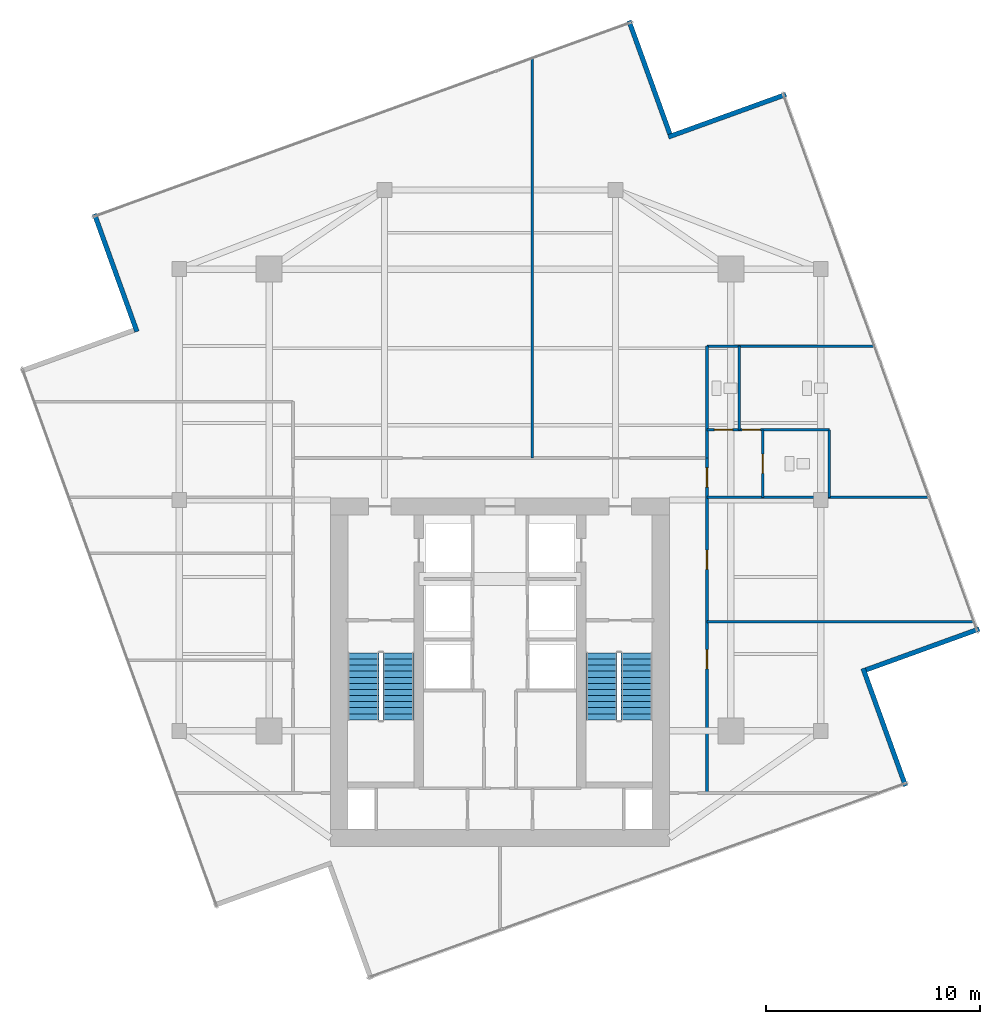
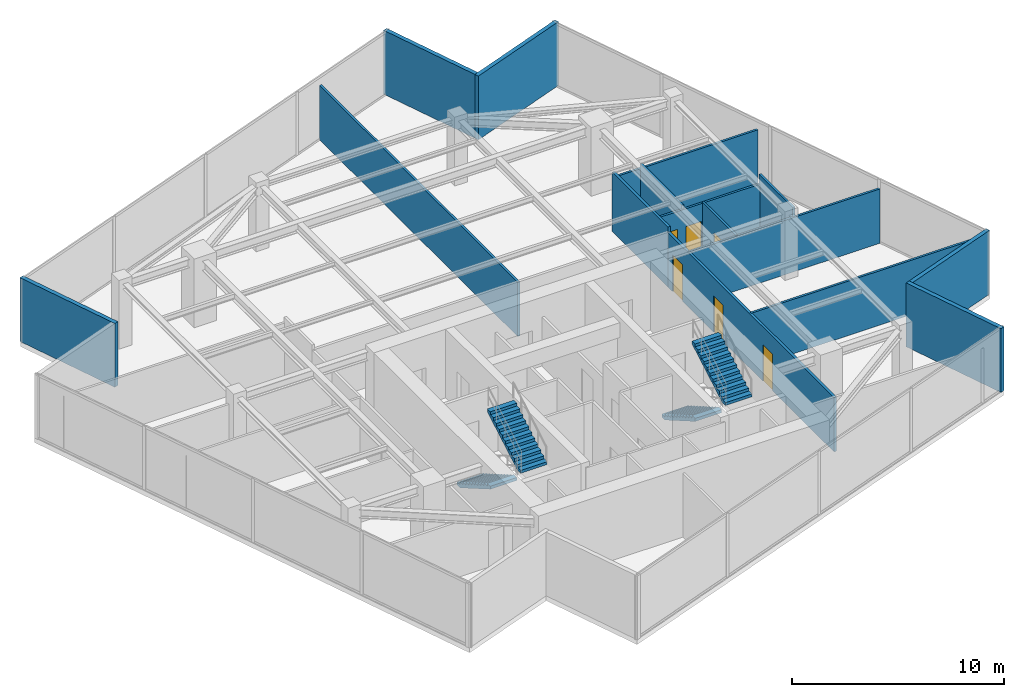
# One storey, part 19 of 21: 15 walls, 6 doors, 4 stair flights, 6 openings, 2 elements without a shape of their own.
"""IFC4 building model written with IfcOpenShell, lengths in metres."""

from ifc_helpers import new_model, si_unit, direction, frame, frame_2d, origin, place, context, subcontext, project, spatial, polyline, rectangle, outline, extrude, material, layer, layer_set, type_object, element, fill, aggregate, save


model = new_model("IFC4")

# Units and contexts
model_context = context("Model", 3, precision=1e-05, world=origin(), true_north=direction((0.0, 1.0)))
body_context = subcontext(model_context, "Body", "Model", "MODEL_VIEW")
ifc_project = project(units=[si_unit("LENGTHUNIT", "METRE"), si_unit("AREAUNIT", "SQUARE_METRE"), si_unit("VOLUMEUNIT", "CUBIC_METRE"), si_unit("PLANEANGLEUNIT", "RADIAN"), si_unit("MASSUNIT", "GRAM", prefix="KILO")], contexts=[model_context])

# Site, building, storey
site_placement = place(None, origin())
site = spatial("IfcSite", under=ifc_project, at=site_placement, CompositionType="ELEMENT")
building_placement = place(site_placement, origin())
building = spatial("IfcBuilding", under=site, at=building_placement, Name="Krantzveldt Concourse Tower", CompositionType="ELEMENT")
storey_placement = place(building_placement, frame((0.0, 0.0, 331.64990234375)))
storey = spatial("IfcBuildingStorey", under=building, at=storey_placement, Name="L81", CompositionType="ELEMENT", Elevation=331.64990234375)

# Walls
ifc_material_1 = material(Name="Anodised aluminium 6063-T6", Category="aluminium")
ifc_layer_1 = layer(ifc_material_1, 0.219970703125, Name="Anodised aluminium 6063-T6", Category="aluminium")
ifc_layer_set_1 = layer_set([ifc_layer_1], Name="Anodised aluminium 6063-T6 (WL-EXT-NOTCH220)")
wall_type_1 = type_object("IfcWallType", Name="WL-EXT-NOTCH220", PredefinedType="ELEMENTEDWALL", material=ifc_layer_set_1)
wall_1_placement = place(storey_placement, frame((43.94287109375, 43.820068359375, 0.0), z_axis=(0.0, 0.0, 1.0), x_axis=(-0.339968670636, 0.940436761822, 0.0)))
element("IfcWall", 1, at=wall_1_placement, inside=storey, type_object=wall_type_1, Name="EW-L81-NCH00", PredefinedType="ELEMENTEDWALL", context=body_context, shape_type="SweptSolid", body=[
    extrude(rectangle(XDim=5.625, YDim=0.219970703125, at=frame_2d((2.8125, 0.0))), origin(), (0.0, 0.0, 1.0), 3.670166015625),
])
wall_2_placement = place(storey_placement, frame((17.03369140625, 40.07373046875, 0.0), z_axis=(0.0, 0.0, 1.0), x_axis=(0.339948253463, -0.940444142396, 0.0)))
element("IfcWall", 2, at=wall_2_placement, inside=storey, type_object=wall_type_1, Name="EW-L81-NCH02", PredefinedType="ELEMENTEDWALL", context=body_context, shape_type="SweptSolid", body=[
    extrude(rectangle(XDim=5.84521484375, YDim=0.219970703125, at=frame_2d((2.922607421875, 0.0))), origin(), (0.0, 0.0, 1.0), 3.670166015625),
])
wall_3_placement = place(storey_placement, frame((54.96630859375, 13.326416015625, 0.0), z_axis=(0.0, 0.0, 1.0), x_axis=(-0.339961607222, 0.940439315222, 0.0)))
element("IfcWall", 3, at=wall_3_placement, inside=storey, type_object=wall_type_1, Name="EW-L81-NCH08", PredefinedType="ELEMENTEDWALL", context=body_context, shape_type="SweptSolid", body=[
    extrude(rectangle(XDim=5.844970703125, YDim=0.219970703125, at=frame_2d((2.92236328125, 0.0))), origin(), (0.0, 0.0, 1.0), 3.670166015625),
])
wall_4_placement = place(storey_placement, frame((53.1201171875, 18.757080078125, 0.0), z_axis=(0.0, 0.0, 1.0), x_axis=(0.940431745156, 0.339982547644, 0.0)))
element("IfcWall", 4, at=wall_4_placement, inside=storey, type_object=wall_type_1, Name="EW-L81-NCH09", PredefinedType="ELEMENTEDWALL", context=body_context, shape_type="SweptSolid", body=[
    extrude(rectangle(XDim=5.624755859375, YDim=0.219970703125, at=frame_2d((2.8125, 0.0))), origin(), (0.0, 0.0, 1.0), 3.670166015625),
])
wall_5_placement = place(storey_placement, frame((49.37353515625, 45.666259765625, 0.0), z_axis=(0.0, 0.0, 1.0), x_axis=(-0.940439315222, -0.339961607222, 0.0)))
element("IfcWall", 5, at=wall_5_placement, inside=storey, type_object=wall_type_1, Name="EW-L81-NCH11", PredefinedType="ELEMENTEDWALL", context=body_context, shape_type="SweptSolid", body=[
    extrude(rectangle(XDim=5.844970703125, YDim=0.219970703125, at=frame_2d((2.92236328125, 0.0))), origin(), (0.0, 0.0, 1.0), 3.670166015625),
])
ifc_material_2 = material(Name="Fire-rated gypsum plasterboard on steel stud", Category="steel")
ifc_layer_2 = layer(ifc_material_2, 0.1201171875, Name="Fire-rated gypsum plasterboard on steel stud", Category="steel")
ifc_layer_set_2 = layer_set([ifc_layer_2], Name="Fire-rated gypsum plasterboard on steel stud (WL-PART-120)")
wall_type_2 = type_object("IfcWallType", Name="WL-PART-120", PredefinedType="PARTITIONING", material=ifc_layer_set_2)
wall_6_placement = place(storey_placement, frame((45.679931640625, 26.820068359375, 0.0), z_axis=(0.0, 0.0, 1.0), x_axis=(1.0, 0.0, 0.0)))
element("IfcWall", 6, at=wall_6_placement, inside=storey, type_object=wall_type_2, Name="WP-L81-WCBS", PredefinedType="PARTITIONING", context=body_context, shape_type="SweptSolid", body=[
    extrude(rectangle(XDim=10.38427734375, YDim=0.1201171875, at=frame_2d((5.192138671875, 0.0))), origin(), (0.0, 0.0, 1.0), 3.130126953125),
])
wall_7_placement = place(storey_placement, frame((45.679931640625, 33.89990234375, 0.0), z_axis=(0.0, 0.0, 1.0), x_axis=(1.0, 0.0, 0.0)))
element("IfcWall", 7, at=wall_7_placement, inside=storey, type_object=wall_type_2, Name="WP-L81-WCBN", PredefinedType="PARTITIONING", context=body_context, shape_type="SweptSolid", body=[
    extrude(rectangle(XDim=7.824951171875, YDim=0.1201171875, at=frame_2d((3.91259765625, 0.0))), origin(), (0.0, 0.0, 1.0), 3.130126953125),
])

# Wall, openings, doors
wall_8_placement = place(storey_placement, frame((45.679931640625, 29.97998046875, 0.0), z_axis=(0.0, 0.0, 1.0), x_axis=(1.0, 0.0, 0.0)))
wall_8 = element("IfcWall", 8, at=wall_8_placement, inside=storey, type_object=wall_type_2, Name="WP-L81-WCMH", PredefinedType="PARTITIONING", context=body_context, shape_type="SweptSolid", body=[
    extrude(rectangle(XDim=5.719970703125, YDim=0.1201171875, at=frame_2d((2.85986328125, 0.0))), origin(), (0.0, 0.0, 1.0), 3.130126953125),
])
opening_1_placement = place(wall_8_placement, frame((1.64501953125, 0.0, 0.0)))
opening_1 = element("IfcOpeningElement", 9, at=opening_1_placement, cuts=wall_8, Name="Opening D-IN085", PredefinedType="OPENING", context=body_context, shape_type="SweptSolid", body=[
    extrude(rectangle(XDim=0.85009765625, YDim=2.10009765625, at=frame_2d((0.425048828125, 1.050048828125))), frame((0.0, 0.070068359375, 0.0), z_axis=(0.0, -1.0, 0.0), x_axis=(1.0, 0.0, 0.0)), (0.0, 0.0, 1.0), 0.14013671875),
])
opening_2_placement = place(wall_8_placement, frame((0.344970703125, 0.0, 0.0)))
opening_2 = element("IfcOpeningElement", 10, at=opening_2_placement, cuts=wall_8, Name="Opening D-IN085", PredefinedType="OPENING", context=body_context, shape_type="SweptSolid", body=[
    extrude(rectangle(XDim=0.85009765625, YDim=2.10009765625, at=frame_2d((0.425048828125, 1.050048828125))), frame((0.0, 0.070068359375, 0.0), z_axis=(0.0, -1.0, 0.0), x_axis=(1.0, 0.0, 0.0)), (0.0, 0.0, 1.0), 0.14013671875),
])
ifc_material_3 = material(Name="Hardwood timber", Category="wood")
door_type_1 = type_object("IfcDoorType", Name="DR-INT-850", OperationType="SINGLE_SWING_LEFT", PredefinedType="DOOR", material=ifc_material_3)
door_1_placement = place(opening_1_placement, origin())
door_1 = element("IfcDoor", 11, at=door_1_placement, inside=storey, type_object=door_type_1, Name="DR-L81-WCM", OperationType="SINGLE_SWING_RIGHT", OverallHeight=2.10009765625, OverallWidth=0.85009765625, PredefinedType="DOOR", context=body_context, shape_type="SweptSolid", body=[
    extrude(rectangle(XDim=0.85009765625, YDim=2.10009765625, at=frame_2d((0.425048828125, 1.050048828125))), frame((0.0, 0.02490234375, 0.0), z_axis=(0.0, -1.0, 0.0), x_axis=(1.0, 0.0, 0.0)), (0.0, 0.0, 1.0), 0.050048828125),
])
fill(opening_1, door_1)
door_2_placement = place(opening_2_placement, origin())
door_2 = element("IfcDoor", 12, at=door_2_placement, inside=storey, type_object=door_type_1, Name="DR-L81-WCF", OperationType="SINGLE_SWING_LEFT", OverallHeight=2.10009765625, OverallWidth=0.85009765625, PredefinedType="DOOR", context=body_context, shape_type="SweptSolid", body=[
    extrude(rectangle(XDim=0.85009765625, YDim=2.10009765625, at=frame_2d((0.425048828125, 1.050048828125))), frame((0.0, 0.02490234375, 0.0), z_axis=(0.0, -1.0, 0.0), x_axis=(1.0, 0.0, 0.0)), (0.0, 0.0, 1.0), 0.050048828125),
])
fill(opening_2, door_2)

# Wall
wall_9_placement = place(storey_placement, frame((51.39990234375, 26.820068359375, 0.0), z_axis=(0.0, 0.0, 1.0), x_axis=(0.0, 1.0, 0.0)))
element("IfcWall", 13, at=wall_9_placement, inside=storey, type_object=wall_type_2, Name="WP-L81-WCAR", PredefinedType="PARTITIONING", context=body_context, shape_type="SweptSolid", body=[
    extrude(rectangle(XDim=3.159912109375, YDim=0.1201171875, at=frame_2d((1.580078125, 0.0))), origin(), (0.0, 0.0, 1.0), 3.670166015625),
])

# Wall, opening, door
wall_10_placement = place(storey_placement, frame((48.280029296875, 26.820068359375, 0.0), z_axis=(0.0, 0.0, 1.0), x_axis=(0.0, 1.0, 0.0)))
wall_10 = element("IfcWall", 14, at=wall_10_placement, inside=storey, type_object=wall_type_2, Name="WP-L81-WCAV", PredefinedType="PARTITIONING", context=body_context, shape_type="SweptSolid", body=[
    extrude(rectangle(XDim=3.159912109375, YDim=0.1201171875, at=frame_2d((1.580078125, 0.0))), origin(), (0.0, 0.0, 1.0), 3.18017578125),
])
opening_3_placement = place(wall_10_placement, frame((1.1298828125, 0.0, 0.0)))
opening_3 = element("IfcOpeningElement", 15, at=opening_3_placement, cuts=wall_10, Name="Opening D-IN090", PredefinedType="OPENING", context=body_context, shape_type="SweptSolid", body=[
    extrude(rectangle(XDim=0.89990234375, YDim=2.10009765625, at=frame_2d((0.449951171875, 1.050048828125))), frame((0.0, 0.070068359375, 0.0), z_axis=(0.0, -1.0, 0.0), x_axis=(1.0, 0.0, 0.0)), (0.0, 0.0, 1.0), 0.14013671875),
])
door_type_2 = type_object("IfcDoorType", Name="DR-INT-900", OperationType="SINGLE_SWING_LEFT", PredefinedType="DOOR", material=ifc_material_3)
door_3_placement = place(opening_3_placement, origin())
door_3 = element("IfcDoor", 16, at=door_3_placement, inside=storey, type_object=door_type_2, Name="DR-L81-WCA", OperationType="SINGLE_SWING_RIGHT", OverallHeight=2.10009765625, OverallWidth=0.89990234375, PredefinedType="DOOR", context=body_context, shape_type="SweptSolid", body=[
    extrude(rectangle(XDim=0.89990234375, YDim=2.10009765625, at=frame_2d((0.449951171875, 1.050048828125))), frame((0.0, 0.02490234375, 0.0), z_axis=(0.0, -1.0, 0.0), x_axis=(1.0, 0.0, 0.0)), (0.0, 0.0, 1.0), 0.050048828125),
])
fill(opening_3, door_3)

# Walls
wall_11_placement = place(storey_placement, frame((47.179931640625, 29.97998046875, 0.0), z_axis=(0.0, 0.0, 1.0), x_axis=(0.0, 1.0, 0.0)))
element("IfcWall", 17, at=wall_11_placement, inside=storey, type_object=wall_type_2, Name="WP-L81-WCFD", PredefinedType="PARTITIONING", context=body_context, shape_type="SweptSolid", body=[
    extrude(rectangle(XDim=3.919921875, YDim=0.1201171875, at=frame_2d((1.9599609375, 0.0))), origin(), (0.0, 0.0, 1.0), 3.3701171875),
])
wall_12_placement = place(storey_placement, frame((37.5, 28.659912109375, 0.0), z_axis=(0.0, 0.0, 1.0), x_axis=(0.0, 1.0, 0.0)))
element("IfcWall", 18, at=wall_12_placement, inside=storey, type_object=wall_type_2, Name="WP-L81-ND1", PredefinedType="PARTITIONING", context=body_context, shape_type="SweptSolid", body=[
    extrude(rectangle(XDim=18.68994140625, YDim=0.1201171875, at=frame_2d((9.344970703125, 0.0))), origin(), (0.0, 0.0, 1.0), 3.130126953125),
])
wall_13_placement = place(storey_placement, frame((45.679931640625, 21.0, 0.0), z_axis=(0.0, 0.0, 1.0), x_axis=(1.0, 0.0, 0.0)))
element("IfcWall", 19, at=wall_13_placement, inside=storey, type_object=wall_type_2, Name="WP-L81-ED1", PredefinedType="PARTITIONING", context=body_context, shape_type="SweptSolid", body=[
    extrude(rectangle(XDim=12.48828125, YDim=0.1201171875, at=frame_2d((6.244140625, 0.0))), origin(), (0.0, 0.0, 1.0), 3.130126953125),
])

# Wall, openings, doors
ifc_layer_3 = layer(ifc_material_2, 0.139892578125, Name="Fire-rated gypsum plasterboard on steel stud", Category="steel")
ifc_layer_set_3 = layer_set([ifc_layer_3], Name="Fire-rated gypsum plasterboard on steel stud (WL-PART-140)")
wall_type_3 = type_object("IfcWallType", Name="WL-PART-140", PredefinedType="PARTITIONING", material=ifc_layer_set_3)
wall_14_placement = place(storey_placement, frame((45.679931640625, 13.0, 0.0), z_axis=(0.0, 0.0, 1.0), x_axis=(0.0, 1.0, 0.0)))
wall_14 = element("IfcWall", 20, at=wall_14_placement, inside=storey, type_object=wall_type_3, Name="WP-L81-CEAST", PredefinedType="PARTITIONING", context=body_context, shape_type="SweptSolid", body=[
    extrude(rectangle(XDim=15.659912109375, YDim=0.139892578125, at=frame_2d((7.830078125, 0.0))), origin(), (0.0, 0.0, 1.0), 3.130126953125),
])
opening_4_placement = place(wall_14_placement, frame((14.300048828125, 0.0, 0.0)))
opening_4 = element("IfcOpeningElement", 21, at=opening_4_placement, cuts=wall_14, Name="Opening D-IN090", PredefinedType="OPENING", context=body_context, shape_type="SweptSolid", body=[
    extrude(rectangle(XDim=0.89990234375, YDim=2.10009765625, at=frame_2d((0.449951171875, 1.050048828125))), frame((0.0, 0.080078125, 0.0), z_axis=(0.0, -1.0, 0.0), x_axis=(1.0, 0.0, 0.0)), (0.0, 0.0, 1.0), 0.159912109375),
])
opening_5_placement = place(wall_14_placement, frame((5.800048828125, 0.0, 0.0)))
opening_5 = element("IfcOpeningElement", 22, at=opening_5_placement, cuts=wall_14, Name="Opening D-IN090", PredefinedType="OPENING", context=body_context, shape_type="SweptSolid", body=[
    extrude(rectangle(XDim=0.89990234375, YDim=2.10009765625, at=frame_2d((0.449951171875, 1.050048828125))), frame((0.0, 0.080078125, 0.0), z_axis=(0.0, -1.0, 0.0), x_axis=(1.0, 0.0, 0.0)), (0.0, 0.0, 1.0), 0.159912109375),
])
opening_6_placement = place(wall_14_placement, frame((10.4599609375, 0.0, 0.0)))
opening_6 = element("IfcOpeningElement", 23, at=opening_6_placement, cuts=wall_14, Name="Opening D-IN090", PredefinedType="OPENING", context=body_context, shape_type="SweptSolid", body=[
    extrude(rectangle(XDim=0.89990234375, YDim=2.10009765625, at=frame_2d((0.449951171875, 1.050048828125))), frame((0.0, 0.080078125, 0.0), z_axis=(0.0, -1.0, 0.0), x_axis=(1.0, 0.0, 0.0)), (0.0, 0.0, 1.0), 0.159912109375),
])
door_4_placement = place(opening_4_placement, origin())
door_4 = element("IfcDoor", 24, at=door_4_placement, inside=storey, type_object=door_type_2, Name="DR-L81-WCV", OperationType="SINGLE_SWING_RIGHT", OverallHeight=2.10009765625, OverallWidth=0.89990234375, PredefinedType="DOOR", context=body_context, shape_type="SweptSolid", body=[
    extrude(rectangle(XDim=0.89990234375, YDim=2.10009765625, at=frame_2d((0.449951171875, 1.050048828125))), frame((0.0, 0.02490234375, 0.0), z_axis=(0.0, -1.0, 0.0), x_axis=(1.0, 0.0, 0.0)), (0.0, 0.0, 1.0), 0.050048828125),
])
fill(opening_4, door_4)
door_5_placement = place(opening_5_placement, origin())
door_5 = element("IfcDoor", 25, at=door_5_placement, inside=storey, type_object=door_type_2, Name="DR-L81-ER1", OperationType="SINGLE_SWING_LEFT", OverallHeight=2.10009765625, OverallWidth=0.89990234375, PredefinedType="DOOR", context=body_context, shape_type="SweptSolid", body=[
    extrude(rectangle(XDim=0.89990234375, YDim=2.10009765625, at=frame_2d((0.449951171875, 1.050048828125))), frame((0.0, 0.02490234375, 0.0), z_axis=(0.0, -1.0, 0.0), x_axis=(1.0, 0.0, 0.0)), (0.0, 0.0, 1.0), 0.050048828125),
])
fill(opening_5, door_5)
door_6_placement = place(opening_6_placement, origin())
door_6 = element("IfcDoor", 26, at=door_6_placement, inside=storey, type_object=door_type_2, Name="DR-L81-ER2", OperationType="SINGLE_SWING_LEFT", OverallHeight=2.10009765625, OverallWidth=0.89990234375, PredefinedType="DOOR", context=body_context, shape_type="SweptSolid", body=[
    extrude(rectangle(XDim=0.89990234375, YDim=2.10009765625, at=frame_2d((0.449951171875, 1.050048828125))), frame((0.0, 0.02490234375, 0.0), z_axis=(0.0, -1.0, 0.0), x_axis=(1.0, 0.0, 0.0)), (0.0, 0.0, 1.0), 0.050048828125),
])
fill(opening_6, door_6)

# Wall
wall_15_placement = place(storey_placement, frame((45.679931640625, 28.659912109375, 0.0), z_axis=(0.0, 0.0, 1.0), x_axis=(0.0, 1.0, 0.0)))
element("IfcWall", 27, at=wall_15_placement, inside=storey, type_object=wall_type_3, Name="WP-L81-NER", PredefinedType="PARTITIONING", context=body_context, shape_type="SweptSolid", body=[
    extrude(rectangle(XDim=5.239990234375, YDim=0.139892578125, at=frame_2d((2.6201171875, 0.0))), origin(), (0.0, 0.0, 1.0), 3.43017578125),
])

# Stair, stair flights
ifc_material_4 = material(Name="Precast concrete C40/50", Category="concrete")
stair_type = type_object("IfcStairType", Name="STR-CORE-DOGLEG", PredefinedType="HALF_TURN_STAIR", material=ifc_material_4)
stair_1_placement = place(storey_placement, origin())
stair_1 = element("IfcStair", 28, at=stair_1_placement, inside=storey, type_object=stair_type, Name="L81 Protected Escape Stair ST-1", PredefinedType="HALF_TURN_STAIR")
stair_flight_type = type_object("IfcStairFlightType", Name="STF-CORE-1450", PredefinedType="STRAIGHT", material=ifc_material_4)
stair_flight_1_placement = place(storey_placement, frame((29.60498046875, 19.550048828125, 0.0), z_axis=(0.0, 0.0, 1.0), x_axis=(0.0, -1.0, 0.0)))
stair_flight_1 = element("IfcStairFlight", 29, at=stair_flight_1_placement, type_object=stair_flight_type, Name="ST-1 flight 1", NumberOfRisers=12, NumberOfTreads=11, PredefinedType="STRAIGHT", RiserHeight=0.164583333, TreadLength=0.285, context=body_context, shape_type="SweptSolid", body=[
    extrude(outline(polyline([(0.0, 0.0), (0.0, 0.16455078125), (0.284912109375, 0.16455078125), (0.284912109375, 0.3291015625), (0.570068359375, 0.3291015625), (0.570068359375, 0.49365234375), (0.85498046875, 0.49365234375), (0.85498046875, 0.658447265625), (1.139892578125, 0.658447265625), (1.139892578125, 0.822998046875), (1.425048828125, 0.822998046875), (1.425048828125, 0.987548828125), (1.7099609375, 0.987548828125), (1.7099609375, 1.152099609375), (1.9951171875, 1.152099609375), (1.9951171875, 1.316650390625), (2.280029296875, 1.316650390625), (2.280029296875, 1.481201171875), (2.56494140625, 1.481201171875), (2.56494140625, 1.645751953125), (2.85009765625, 1.645751953125), (2.85009765625, 1.810302734375), (3.135009765625, 1.810302734375), (3.135009765625, 1.97509765625), (3.135009765625, 1.63720703125), (0.2998046875, 0.0), (0.0, 0.0)])), frame((0.0, 0.72509765625, 0.0), z_axis=(0.0, -1.0, 0.0), x_axis=(1.0, 0.0, 0.0)), (0.0, 0.0, 1.0), 1.449951171875),
])
stair_flight_2_placement = place(storey_placement, frame((31.2548828125, 16.4150390625, 1.97509765625), z_axis=(0.0, 0.0, 1.0), x_axis=(0.0, 1.0, 0.0)))
stair_flight_2 = element("IfcStairFlight", 30, at=stair_flight_2_placement, type_object=stair_flight_type, Name="ST-1 flight 2", NumberOfRisers=12, NumberOfTreads=11, PredefinedType="STRAIGHT", RiserHeight=0.164583333, TreadLength=0.285, context=body_context, shape_type="SweptSolid", body=[
    extrude(outline(polyline([(0.0, 0.0), (0.0, 0.16455078125), (0.284912109375, 0.16455078125), (0.284912109375, 0.3291015625), (0.570068359375, 0.3291015625), (0.570068359375, 0.49365234375), (0.85498046875, 0.49365234375), (0.85498046875, 0.658447265625), (1.139892578125, 0.658447265625), (1.139892578125, 0.822998046875), (1.425048828125, 0.822998046875), (1.425048828125, 0.987548828125), (1.7099609375, 0.987548828125), (1.7099609375, 1.152099609375), (1.9951171875, 1.152099609375), (1.9951171875, 1.316650390625), (2.280029296875, 1.316650390625), (2.280029296875, 1.481201171875), (2.56494140625, 1.481201171875), (2.56494140625, 1.645751953125), (2.85009765625, 1.645751953125), (2.85009765625, 1.810302734375), (3.135009765625, 1.810302734375), (3.135009765625, 1.97509765625), (3.135009765625, 1.63720703125), (0.2998046875, 0.0), (0.0, 0.0)])), frame((0.0, 0.72509765625, 0.0), z_axis=(0.0, -1.0, 0.0), x_axis=(1.0, 0.0, 0.0)), (0.0, 0.0, 1.0), 1.449951171875),
])
aggregate(stair_1, [stair_flight_1, stair_flight_2])

stair_2_placement = place(storey_placement, origin())
stair_2 = element("IfcStair", 31, at=stair_2_placement, inside=storey, type_object=stair_type, Name="L81 Protected Escape Stair ST-2", PredefinedType="HALF_TURN_STAIR")
stair_flight_3_placement = place(storey_placement, frame((40.7451171875, 19.550048828125, 0.0), z_axis=(0.0, 0.0, 1.0), x_axis=(0.0, -1.0, 0.0)))
stair_flight_3 = element("IfcStairFlight", 32, at=stair_flight_3_placement, type_object=stair_flight_type, Name="ST-2 flight 1", NumberOfRisers=12, NumberOfTreads=11, PredefinedType="STRAIGHT", RiserHeight=0.164583333, TreadLength=0.285, context=body_context, shape_type="SweptSolid", body=[
    extrude(outline(polyline([(0.0, 0.0), (0.0, 0.16455078125), (0.284912109375, 0.16455078125), (0.284912109375, 0.3291015625), (0.570068359375, 0.3291015625), (0.570068359375, 0.49365234375), (0.85498046875, 0.49365234375), (0.85498046875, 0.658447265625), (1.139892578125, 0.658447265625), (1.139892578125, 0.822998046875), (1.425048828125, 0.822998046875), (1.425048828125, 0.987548828125), (1.7099609375, 0.987548828125), (1.7099609375, 1.152099609375), (1.9951171875, 1.152099609375), (1.9951171875, 1.316650390625), (2.280029296875, 1.316650390625), (2.280029296875, 1.481201171875), (2.56494140625, 1.481201171875), (2.56494140625, 1.645751953125), (2.85009765625, 1.645751953125), (2.85009765625, 1.810302734375), (3.135009765625, 1.810302734375), (3.135009765625, 1.97509765625), (3.135009765625, 1.63720703125), (0.2998046875, 0.0), (0.0, 0.0)])), frame((0.0, 0.72509765625, 0.0), z_axis=(0.0, -1.0, 0.0), x_axis=(1.0, 0.0, 0.0)), (0.0, 0.0, 1.0), 1.449951171875),
])
stair_flight_4_placement = place(storey_placement, frame((42.39501953125, 16.4150390625, 1.97509765625), z_axis=(0.0, 0.0, 1.0), x_axis=(0.0, 1.0, 0.0)))
stair_flight_4 = element("IfcStairFlight", 33, at=stair_flight_4_placement, type_object=stair_flight_type, Name="ST-2 flight 2", NumberOfRisers=12, NumberOfTreads=11, PredefinedType="STRAIGHT", RiserHeight=0.164583333, TreadLength=0.285, context=body_context, shape_type="SweptSolid", body=[
    extrude(outline(polyline([(0.0, 0.0), (0.0, 0.16455078125), (0.284912109375, 0.16455078125), (0.284912109375, 0.3291015625), (0.570068359375, 0.3291015625), (0.570068359375, 0.49365234375), (0.85498046875, 0.49365234375), (0.85498046875, 0.658447265625), (1.139892578125, 0.658447265625), (1.139892578125, 0.822998046875), (1.425048828125, 0.822998046875), (1.425048828125, 0.987548828125), (1.7099609375, 0.987548828125), (1.7099609375, 1.152099609375), (1.9951171875, 1.152099609375), (1.9951171875, 1.316650390625), (2.280029296875, 1.316650390625), (2.280029296875, 1.481201171875), (2.56494140625, 1.481201171875), (2.56494140625, 1.645751953125), (2.85009765625, 1.645751953125), (2.85009765625, 1.810302734375), (3.135009765625, 1.810302734375), (3.135009765625, 1.97509765625), (3.135009765625, 1.63720703125), (0.2998046875, 0.0), (0.0, 0.0)])), frame((0.0, 0.72509765625, 0.0), z_axis=(0.0, -1.0, 0.0), x_axis=(1.0, 0.0, 0.0)), (0.0, 0.0, 1.0), 1.449951171875),
])
aggregate(stair_2, [stair_flight_3, stair_flight_4])

save(model, "model.ifc")
